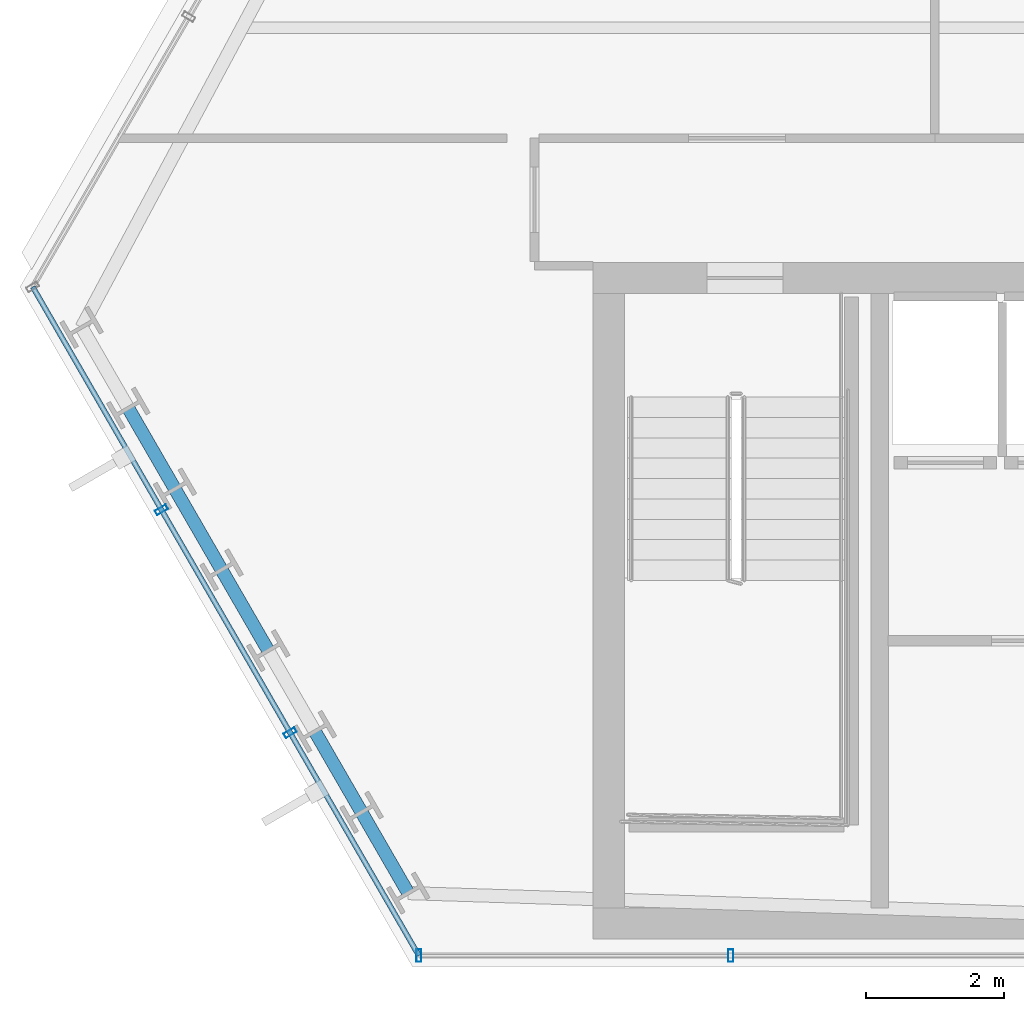
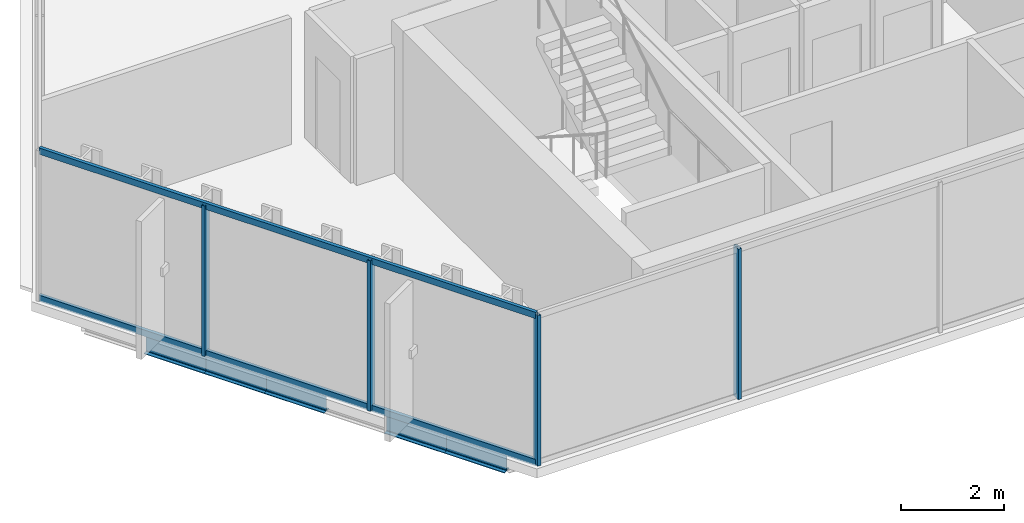
# One storey, part 2 of 33: 6 members, 5 beams, 2 elements without a shape of their own.
"""IFC4 building model written with IfcOpenShell, lengths in metres."""

from ifc_helpers import new_model, si_unit, direction, frame, origin, origin_2d, place, context, subcontext, project, spatial, hollow_rectangle, i_section, extrude, material, layer, layer_set, material_profile, profile_set, type_object, element, aggregate, save


model = new_model("IFC4")

# Units and contexts
model_context = context("Model", 3, precision=1e-05, world=origin(), true_north=direction((0.0, 1.0)))
body_context = subcontext(model_context, "Body", "Model", "MODEL_VIEW")
ifc_project = project(units=[si_unit("LENGTHUNIT", "METRE"), si_unit("AREAUNIT", "SQUARE_METRE"), si_unit("VOLUMEUNIT", "CUBIC_METRE"), si_unit("PLANEANGLEUNIT", "RADIAN"), si_unit("MASSUNIT", "GRAM", prefix="KILO")], contexts=[model_context])

# Site, building, storey
site_placement = place(None, origin())
site = spatial("IfcSite", under=ifc_project, at=site_placement, CompositionType="ELEMENT")
building_placement = place(site_placement, origin())
building = spatial("IfcBuilding", under=site, at=building_placement, Name="Ndaravel Arena Tower", CompositionType="ELEMENT")
storey_placement = place(building_placement, frame((0.0, 0.0, 149.800048828125)))
storey = spatial("IfcBuildingStorey", under=building, at=storey_placement, Name="L35", CompositionType="ELEMENT", Elevation=149.800048828125)

# Beams
ifc_material_1 = material(Name="Steel S355", Category="steel")
ifc_material_profile_1 = material_profile(ifc_material_1, i_section(OverallWidth=0.18994140625, OverallDepth=0.449951171875, WebThickness=0.009521484375, FlangeThickness=0.0146484375, FilletRadius=0.02099609375, at=origin_2d()), Name="IPE 450")
ifc_profile_set_1 = profile_set([ifc_material_profile_1], Name="Steel S355")
beam_type = type_object("IfcBeamType", Name="BM-SPAN-IPE450", PredefinedType="SPANDREL", material=ifc_profile_set_1)
for number, where, z_axis, x_axis, name in (
    (1, (19.715576171875, 13.08935546875, -0.445068359375), (0.500082007311, -0.865978051664, 0.0), (0.865978051664, 0.500082007311, 0.0), "L35 Perimeter Spandrel Beam SP-21"),
    (2, (20.3916015625, 11.918701171875, -0.445068359375), (0.49994655361, -0.866056258873, 0.0), (0.866056258873, 0.49994655361, 0.0), "L35 Perimeter Spandrel Beam SP-22"),
    (3, (21.0673828125, 10.748046875, -0.445068359375), (0.500082007311, -0.865978051664, 0.0), (0.865978051664, 0.500082007311, 0.0), "L35 Perimeter Spandrel Beam SP-23"),
    (4, (22.419189453125, 8.40673828125, -0.445068359375), (0.500082007311, -0.865978051664, 0.0), (0.865978051664, 0.500082007311, 0.0), "L35 Perimeter Spandrel Beam SP-25"),
    (5, (23.09521484375, 7.236083984375, -0.445068359375), (0.499868360126, -0.866101392762, 0.0), (0.866101392762, 0.499868360126, 0.0), "L35 Perimeter Spandrel Beam SP-26"),
):
    element("IfcBeam", number, at=place(storey_placement, frame(where, z_axis=z_axis, x_axis=x_axis)), inside=storey, type_object=beam_type, Name=name, PredefinedType="SPANDREL", context=body_context, shape_type="SweptSolid", body=[
        extrude(i_section(OverallWidth=0.18994140625, OverallDepth=0.449951171875, WebThickness=0.009521484375, FlangeThickness=0.0146484375, FilletRadius=0.02099609375, at=origin_2d()), origin(), (0.0, 0.0, 1.0), 1.351806640625),
    ])

# Curtain wall, members
ifc_material_2 = material(Name="Aluminium", Category="aluminium")
ifc_layer_1 = layer(ifc_material_2, 0.179931640625)
ifc_layer_set_1 = layer_set([ifc_layer_1], Name="Aluminium")
curtain_wall_type_1 = type_object("IfcCurtainWallType", Name="CW-SYS-03", PredefinedType="NOTDEFINED", material=ifc_layer_set_1)
curtain_wall_1_placement = place(storey_placement, origin())
curtain_wall_1 = element("IfcCurtainWall", 6, at=curtain_wall_1_placement, inside=storey, type_object=curtain_wall_type_1, Name="L35 Faceted Crystal Curtain Wall CW-L35-E01", PredefinedType="NOTDEFINED")
ifc_material_3 = material(Name="Aluminium", Category="aluminium")
ifc_material_profile_2 = material_profile(ifc_material_3, hollow_rectangle(XDim=0.074951171875, YDim=0.179931640625, WallThickness=0.00390625, at=origin_2d()), Name="CW MULLION 75x180x4")
ifc_profile_set_2 = profile_set([ifc_material_profile_2], Name="Aluminium")
member_type_1 = type_object("IfcMemberType", Name="MEM-CW-MUL180", PredefinedType="MULLION", material=ifc_profile_set_2)
member_1_placement = place(storey_placement, frame((23.92431640625, 5.159912109375, 0.0), z_axis=(0.0, 0.0, 1.0), x_axis=(1.0, 0.0, 0.0)))
member_1 = element("IfcMember", 7, at=member_1_placement, type_object=member_type_1, Name="CW-L35-E01 Mullion 00", PredefinedType="MULLION", context=body_context, shape_type="SweptSolid", body=[
    extrude(hollow_rectangle(XDim=0.074951171875, YDim=0.179931640625, WallThickness=0.00390625, at=origin_2d()), origin(), (0.0, 0.0, 1.0), 3.579833984375),
])
member_2_placement = place(storey_placement, frame((28.443115234375, 5.159912109375, 0.0), z_axis=(0.0, 0.0, 1.0), x_axis=(1.0, 0.0, 0.0)))
member_2 = element("IfcMember", 8, at=member_2_placement, type_object=member_type_1, Name="CW-L35-E01 Mullion 01", PredefinedType="MULLION", context=body_context, shape_type="SweptSolid", body=[
    extrude(hollow_rectangle(XDim=0.074951171875, YDim=0.179931640625, WallThickness=0.00390625, at=origin_2d()), origin(), (0.0, 0.0, 1.0), 3.579833984375),
])
aggregate(curtain_wall_1, [member_1, member_2])

ifc_material_4 = material(Name="Aluminium", Category="aluminium")
ifc_layer_2 = layer(ifc_material_4, 0.179931640625)
ifc_layer_set_2 = layer_set([ifc_layer_2], Name="Aluminium")
curtain_wall_type_2 = type_object("IfcCurtainWallType", Name="CW-SYS-02", PredefinedType="NOTDEFINED", material=ifc_layer_set_2)
curtain_wall_2_placement = place(storey_placement, origin())
curtain_wall_2 = element("IfcCurtainWall", 9, at=curtain_wall_2_placement, inside=storey, type_object=curtain_wall_type_2, Name="L35 Faceted Crystal Curtain Wall CW-L35-E06", PredefinedType="NOTDEFINED")
member_3_placement = place(storey_placement, frame((20.1962890625, 11.616943359375, 0.0), z_axis=(0.0, 0.0, 1.0), x_axis=(0.5, -0.866025403784, 0.0)))
member_3 = element("IfcMember", 10, at=member_3_placement, type_object=member_type_1, Name="CW-L35-E06 Mullion 01", PredefinedType="MULLION", context=body_context, shape_type="SweptSolid", body=[
    extrude(hollow_rectangle(XDim=0.074951171875, YDim=0.179931640625, WallThickness=0.00390625, at=origin_2d()), origin(), (0.0, 0.0, 1.0), 3.579833984375),
])
member_4_placement = place(storey_placement, frame((22.060302734375, 8.388427734375, 0.0), z_axis=(0.0, 0.0, 1.0), x_axis=(0.5, -0.866025403784, 0.0)))
member_4 = element("IfcMember", 11, at=member_4_placement, type_object=member_type_1, Name="CW-L35-E06 Mullion 02", PredefinedType="MULLION", context=body_context, shape_type="SweptSolid", body=[
    extrude(hollow_rectangle(XDim=0.074951171875, YDim=0.179931640625, WallThickness=0.00390625, at=origin_2d()), origin(), (0.0, 0.0, 1.0), 3.579833984375),
])
ifc_material_5 = material(Name="Aluminium", Category="aluminium")
ifc_material_profile_3 = material_profile(ifc_material_5, hollow_rectangle(XDim=0.074951171875, YDim=0.14990234375, WallThickness=0.00390625, at=origin_2d()), Name="CW TRANSOM 75x150x4")
ifc_profile_set_3 = profile_set([ifc_material_profile_3], Name="Aluminium")
member_type_2 = type_object("IfcMemberType", Name="MEM-CW-TRN150", PredefinedType="USERDEFINED", material=ifc_profile_set_3)
member_5_placement = place(storey_placement, frame((18.332275390625, 14.845458984375, 0.0400390625), z_axis=(0.500005895944, -0.866021999733, 0.0), x_axis=(0.866021999733, 0.500005895944, 0.0)))
member_5 = element("IfcMember", 12, at=member_5_placement, type_object=member_type_2, Name="CW-L35-E06 Transom 01", ObjectType="TRANSOM", PredefinedType="USERDEFINED", context=body_context, shape_type="SweptSolid", body=[
    extrude(hollow_rectangle(XDim=0.074951171875, YDim=0.14990234375, WallThickness=0.00390625, at=origin_2d()), origin(), (0.0, 0.0, 1.0), 11.183837890625),
])
member_6_placement = place(storey_placement, frame((18.332275390625, 14.845458984375, 3.5400390625), z_axis=(0.500005895944, -0.866021999733, 0.0), x_axis=(0.866021999733, 0.500005895944, 0.0)))
member_6 = element("IfcMember", 13, at=member_6_placement, type_object=member_type_2, Name="CW-L35-E06 Transom 02", ObjectType="TRANSOM", PredefinedType="USERDEFINED", context=body_context, shape_type="SweptSolid", body=[
    extrude(hollow_rectangle(XDim=0.074951171875, YDim=0.14990234375, WallThickness=0.00390625, at=origin_2d()), origin(), (0.0, 0.0, 1.0), 11.183837890625),
])
aggregate(curtain_wall_2, [member_3, member_4, member_5, member_6])

save(model, "model.ifc")
